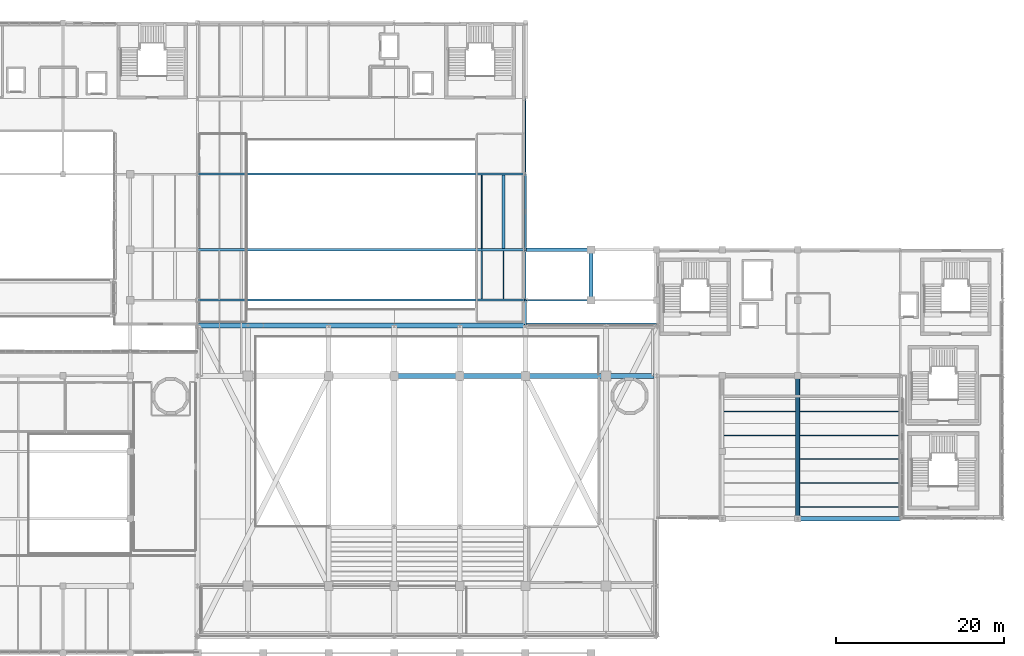
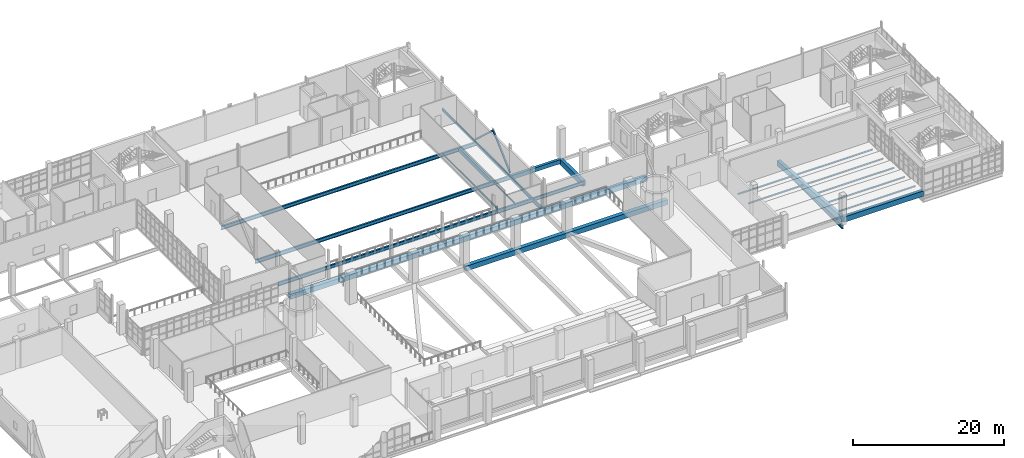
# One storey, part 41 of 100: 25 beams, 3 members.
"""IFC4 building model written with IfcOpenShell, lengths in metres."""

import ifcopenshell
import ifcopenshell.guid

model = None  # the IFC model being written
_history = None  # IfcOwnerHistory: only IFC2X3 demands one
_inside = {}  # id of a spatial element -> (the spatial element, [elements in it])
_under = {}  # id of a project, library or spatial element -> (it, [spatial elements below it])
_declared = {}  # id of a project -> (the project, [libraries it declares])
_typed = {}  # id of a type object -> (the type object, [elements of that type])
_made_of = {}  # id of a material, layer set ... -> (it, [elements and type objects made of it])


def new_model(schema):
    """Start an empty IFC model of exactly this schema.

    Asked for "IFC4X3", IfcOpenShell would pick the latest addendum, in which some entities
    have other attributes; the version numbers below select the first issue.
    IFC2X3 requires an IfcOwnerHistory on every rooted entity: one is made here for all.
    """
    global model, _history
    if schema == "IFC4X3":
        model = ifcopenshell.file(schema_version=(4, 3, 0, 0))
    else:
        model = ifcopenshell.file(schema=schema)
    _inside.clear()
    _under.clear()
    _declared.clear()
    _typed.clear()
    _made_of.clear()
    _history = None
    if model.schema == "IFC2X3":
        org = make("IfcOrganization", Name="unknown")
        user = make(
            "IfcPersonAndOrganization",
            ThePerson=make("IfcPerson", FamilyName="unknown"),
            TheOrganization=org,
        )
        app = make(
            "IfcApplication",
            ApplicationDeveloper=org,
            Version="unknown",
            ApplicationFullName="unknown",
            ApplicationIdentifier="unknown",
        )
        _history = make(
            "IfcOwnerHistory",
            OwningUser=user,
            OwningApplication=app,
            ChangeAction="ADDED",
            CreationDate=0,
        )
    return model


def make(cls, **values):
    """One entity of the class cls with the attributes given. An attribute that is None is left unset."""
    return model.create_entity(
        cls, **{name: value for name, value in values.items() if value is not None}
    )


def rooted(cls, **values):
    """An entity with a GlobalId (a new one), such as an element, a storey or a relation."""
    return make(cls, GlobalId=ifcopenshell.guid.new(), OwnerHistory=_history, **values)


def si_unit(unit_type, name, prefix=None):
    """IfcSIUnit, for example si_unit("LENGTHUNIT", "METRE", prefix="MILLI")."""
    return make("IfcSIUnit", UnitType=unit_type, Prefix=prefix, Name=name)


def derived_unit(unit_type, elements):
    """IfcDerivedUnit: a product of units, each with its exponent."""
    return make(
        "IfcDerivedUnit",
        Elements=[
            make("IfcDerivedUnitElement", Unit=unit, Exponent=power)
            for unit, power in elements
        ],
        UnitType=unit_type,
    )


def assignment(units):
    """IfcUnitAssignment: the units of a project."""
    return None if units is None else make("IfcUnitAssignment", Units=units)


def point(xyz):
    """IfcCartesianPoint."""
    return None if xyz is None else make("IfcCartesianPoint", Coordinates=xyz)


def direction(xyz):
    """IfcDirection."""
    return None if xyz is None else make("IfcDirection", DirectionRatios=xyz)


def frame(location, z_axis=None, x_axis=None):
    """IfcAxis2Placement3D, a coordinate frame: its origin and axes. An axis left out is left unset."""
    return make(
        "IfcAxis2Placement3D",
        Location=point(location),
        Axis=direction(z_axis),
        RefDirection=direction(x_axis),
    )


def frame_2d(location, x_axis=None):
    """IfcAxis2Placement2D, a coordinate frame in the plane: its origin and x axis."""
    return make(
        "IfcAxis2Placement2D", Location=point(location), RefDirection=direction(x_axis)
    )


def origin():
    """The frame at (0, 0, 0) with its axes left unset."""
    return frame((0.0, 0.0, 0.0))


def origin_2d():
    """The frame at (0, 0) in the plane with its x axis left unset."""
    return frame_2d((0.0, 0.0))


def place(relative_to, where):
    """IfcLocalPlacement: puts the frame where relative to a parent placement (None: the world)."""
    return make(
        "IfcLocalPlacement", PlacementRelTo=relative_to, RelativePlacement=where
    )


def context(
    kind, dimensions, precision=None, world=None, true_north=None, identifier=None
):
    """IfcGeometricRepresentationContext, for example the 3D "Model" context."""
    return make(
        "IfcGeometricRepresentationContext",
        ContextIdentifier=identifier,
        ContextType=kind,
        CoordinateSpaceDimension=dimensions,
        Precision=precision,
        WorldCoordinateSystem=world,
        TrueNorth=true_north,
    )


def subcontext(parent, identifier, kind, view, scale=None):
    """IfcGeometricRepresentationSubContext, for example "Body" below "Model"."""
    return make(
        "IfcGeometricRepresentationSubContext",
        ContextIdentifier=identifier,
        ContextType=kind,
        ParentContext=parent,
        TargetScale=scale,
        TargetView=view,
    )


def project(units=None, contexts=None):
    """IfcProject with its units and contexts."""
    return rooted(
        "IfcProject",
        Name="project",
        RepresentationContexts=contexts,
        UnitsInContext=assignment(units),
    )


def spatial(cls, under=None, at=None, **own):
    """A site, building, storey or space (cls), placed at a placement, below another one or the project."""
    s = rooted(cls, ObjectPlacement=at, **own)
    if under is not None:
        _under.setdefault(under.id(), (under, []))[1].append(s)
    return s


def profile(cls, at=None, kind="AREA", **sizes):
    """A parametric profile (cls). Its sizes go by their IFC names, for example OverallWidth=200.0."""
    return make(cls, ProfileType=kind, Position=at, **sizes)


def rectangle(**sizes):
    """IfcRectangleProfileDef."""
    return profile("IfcRectangleProfileDef", **sizes)


def hollow_rectangle(**sizes):
    """IfcRectangleHollowProfileDef."""
    return profile("IfcRectangleHollowProfileDef", **sizes)


def i_section(**sizes):
    """IfcIShapeProfileDef."""
    return profile("IfcIShapeProfileDef", **sizes)


def extrude(swept, where, along, depth):
    """IfcExtrudedAreaSolid: the profile swept, set in the frame where, extruded along a direction by depth."""
    return make(
        "IfcExtrudedAreaSolid",
        SweptArea=swept,
        Position=where,
        ExtrudedDirection=direction(along),
        Depth=depth,
    )


def shape(context_of_items, identifier, shape_type, items):
    """IfcShapeRepresentation: the items that make up one representation, for example the "Body"."""
    return make(
        "IfcShapeRepresentation",
        ContextOfItems=context_of_items,
        RepresentationIdentifier=identifier,
        RepresentationType=shape_type,
        Items=items,
    )


def material(Name=None, Category=None):
    """IfcMaterial."""
    return make("IfcMaterial", Name=Name, Category=Category)


def material_profile(
    of_material, cross_section, Name=None, Category=None, Priority=None
):
    """IfcMaterialProfile: a cross section and its material."""
    return make(
        "IfcMaterialProfile",
        Name=Name,
        Material=of_material,
        Profile=cross_section,
        Priority=Priority,
        Category=Category,
    )


def profile_set(profiles, Name=None, composite=None):
    """IfcMaterialProfileSet."""
    return make(
        "IfcMaterialProfileSet",
        Name=Name,
        MaterialProfiles=profiles,
        CompositeProfile=composite,
    )


def made_of(thing, what):
    """Note that an element or type object is made of a material, layer set ...; save() writes the relation."""
    if what is not None:
        _made_of.setdefault(what.id(), (what, []))[1].append(thing)
    return thing


def type_object(cls, material=None, **own):
    """A type object (cls), such as IfcWallType, which elements share."""
    return made_of(rooted(cls, **own), material)


def element(
    cls,
    number,
    at=None,
    inside=None,
    cuts=None,
    type_object=None,
    material=None,
    context=None,
    identifier="Body",
    shape_type=None,
    held_by="IfcProductDefinitionShape",
    body=None,
    shapes=None,
    **own,
):
    """One element of the class cls, such as IfcWall. Its Tag is "e" and its number.

    at: its placement. inside: the storey or other place that contains it. cuts: it is an
    opening in that element (IfcRelVoidsElement). A single representation is given by context,
    identifier, shape_type and body (its items); several are given by shapes. held_by: the class
    of the entity that holds the representations. save() writes the other relations.
    """
    e = rooted(cls, Tag="e%d" % number, ObjectPlacement=at, **own)
    if body is not None:
        shapes = [shape(context, identifier, shape_type, body)]
    if shapes is not None:
        e.Representation = make(held_by, Representations=shapes)
    if inside is not None:
        _inside.setdefault(inside.id(), (inside, []))[1].append(e)
    if cuts is not None:
        rooted(
            "IfcRelVoidsElement", RelatingBuildingElement=cuts, RelatedOpeningElement=e
        )
    if type_object is not None:
        _typed.setdefault(type_object.id(), (type_object, []))[1].append(e)
    return made_of(e, material)


def aggregate(whole, parts):
    """IfcRelAggregates: a whole, such as a stair, and the parts it consists of."""
    return rooted("IfcRelAggregates", RelatingObject=whole, RelatedObjects=parts)


def save(model, path):
    """Write the relations noted so far, then the file.

    IfcRelAggregates (storeys below a building ...), IfcRelContainedInSpatialStructure (elements
    in a storey), IfcRelDefinesByType, IfcRelAssociatesMaterial and IfcRelDeclares: one each for
    every whole, place, type object, material and project.
    """
    for whole, parts in _under.values():
        aggregate(whole, parts)
    for where, things in _inside.values():
        rooted(
            "IfcRelContainedInSpatialStructure",
            RelatedElements=things,
            RelatingStructure=where,
        )
    for kind, things in _typed.values():
        rooted("IfcRelDefinesByType", RelatedObjects=things, RelatingType=kind)
    for what, things in _made_of.values():
        rooted("IfcRelAssociatesMaterial", RelatedObjects=things, RelatingMaterial=what)
    for by, libraries in _declared.values():
        rooted("IfcRelDeclares", RelatingContext=by, RelatedDefinitions=libraries)
    model.write(path)


model = new_model("IFC4")

# Units and contexts
model_context = context("Model", 3, precision=1e-05, world=origin(), true_north=direction((0.0, 1.0)))
body_context = subcontext(model_context, "Body", "Model", "MODEL_VIEW")
ifc_project = project(units=[si_unit("LENGTHUNIT", "METRE"), si_unit("AREAUNIT", "SQUARE_METRE"), si_unit("VOLUMEUNIT", "CUBIC_METRE"), si_unit("PLANEANGLEUNIT", "RADIAN"), si_unit("MASSUNIT", "GRAM", prefix="KILO"), derived_unit("THERMALTRANSMITTANCEUNIT", [(si_unit("POWERUNIT", "WATT"), 1), (si_unit("LENGTHUNIT", "METRE"), -2), (si_unit("THERMODYNAMICTEMPERATUREUNIT", "KELVIN"), -1)])], contexts=[model_context])

# Site, building, storey
site_placement = place(None, origin())
site = spatial("IfcSite", under=ifc_project, at=site_placement, CompositionType="ELEMENT")
building_placement = place(site_placement, origin())
building = spatial("IfcBuilding", under=site, at=building_placement, Name="Nallur Shell Playhouse", CompositionType="ELEMENT")
storey_placement = place(building_placement, frame((0.0, 0.0, 10.199951171875)))
storey = spatial("IfcBuildingStorey", under=building, at=storey_placement, Name="L03", CompositionType="ELEMENT", Elevation=10.199951171875)

# Beams
ifc_material_1 = material(Name="Steel E250", Category="steel")
ifc_material_profile_1 = material_profile(ifc_material_1, i_section(OverallWidth=0.110107421875, OverallDepth=0.22509765625, WebThickness=0.006591796875, FlangeThickness=0.01171875, FilletRadius=0.011962890625, at=origin_2d()), Name="ISMB 225")
ifc_profile_set_1 = profile_set([ifc_material_profile_1], Name="Steel E250")
beam_type_1 = type_object("IfcBeamType", Name="BM-JST-ISMB225", PredefinedType="JOIST", material=ifc_profile_set_1)
beam_1_placement = place(storey_placement, frame((97.800048828125, 56.123046875, -0.37255859375), z_axis=(0.0, 1.0, 0.0), x_axis=(-1.0, 0.0, 0.0)))
element("IfcBeam", 1, at=beam_1_placement, inside=storey, type_object=beam_type_1, Name="L03 secondary joist 12-G-737", PredefinedType="JOIST", context=body_context, shape_type="SweptSolid", body=[
    extrude(i_section(OverallWidth=0.110107421875, OverallDepth=0.22509765625, WebThickness=0.006591796875, FlangeThickness=0.01171875, FilletRadius=0.011962890625, at=origin_2d()), origin(), (0.0, 0.0, 1.0), 8.75390625),
])
ifc_material_profile_2 = material_profile(ifc_material_1, i_section(OverallWidth=0.125, OverallDepth=0.25, WebThickness=0.0068359375, FlangeThickness=0.012451171875, FilletRadius=0.012939453125, at=origin_2d()), Name="ISMB 250")
ifc_profile_set_2 = profile_set([ifc_material_profile_2], Name="Steel E250")
beam_type_2 = type_object("IfcBeamType", Name="BM-JST-ISMB250", PredefinedType="JOIST", material=ifc_profile_set_2)
beam_2_placement = place(storey_placement, frame((126.64794921875, 36.75, 0.074951171875), z_axis=(1.0, 0.0, 0.0), x_axis=(0.0, 1.0, 0.0)))
element("IfcBeam", 2, at=beam_2_placement, inside=storey, type_object=beam_type_2, Name="Seating tier step bearer STUDIO row 2 (126.4-135.4)", PredefinedType="JOIST", context=body_context, shape_type="SweptSolid", body=[
    extrude(i_section(OverallWidth=0.125, OverallDepth=0.25, WebThickness=0.0068359375, FlangeThickness=0.012451171875, FilletRadius=0.012939453125, at=origin_2d()), origin(), (0.0, 0.0, 1.0), 8.504150390625),
])
beam_3_placement = place(storey_placement, frame((135.64794921875, 36.75, 0.074951171875), z_axis=(1.0, 0.0, 0.0), x_axis=(0.0, 1.0, 0.0)))
element("IfcBeam", 3, at=beam_3_placement, inside=storey, type_object=beam_type_2, Name="Seating tier step bearer STUDIO row 2 (135.4-147.6)", PredefinedType="JOIST", context=body_context, shape_type="SweptSolid", body=[
    extrude(i_section(OverallWidth=0.125, OverallDepth=0.25, WebThickness=0.0068359375, FlangeThickness=0.012451171875, FilletRadius=0.012939453125, at=origin_2d()), origin(), (0.0, 0.0, 1.0), 11.7041015625),
])
beam_4_placement = place(storey_placement, frame((126.64794921875, 33.916748046875, 0.31494140625), z_axis=(1.0, 0.0, 0.0), x_axis=(0.0, 1.0, 0.0)))
element("IfcBeam", 4, at=beam_4_placement, inside=storey, type_object=beam_type_2, Name="Seating tier step bearer STUDIO row 3 (126.4-135.4)", PredefinedType="JOIST", context=body_context, shape_type="SweptSolid", body=[
    extrude(i_section(OverallWidth=0.125, OverallDepth=0.25, WebThickness=0.0068359375, FlangeThickness=0.012451171875, FilletRadius=0.012939453125, at=origin_2d()), origin(), (0.0, 0.0, 1.0), 8.504150390625),
])
for number, where, z_axis, x_axis, name in (
    (5, (135.64794921875, 33.916748046875, 0.31494140625), (1.0, 0.0, 0.0), (0.0, 1.0, 0.0), "Seating tier step bearer STUDIO row 3 (135.4-147.6)"),
    (6, (135.64794921875, 31.083251953125, 0.554931640625), (1.0, 0.0, 0.0), (0.0, 1.0, 0.0), "Seating tier step bearer STUDIO row 4 (135.4-147.6)"),
    (7, (135.64794921875, 28.25, 0.795166015625), (1.0, 0.0, 0.0), (0.0, 1.0, 0.0), "Seating tier step bearer STUDIO row 5 (135.4-147.6)"),
    (8, (135.64794921875, 25.416748046875, 1.03515625), (1.0, 0.0, 0.0), (0.0, 1.0, 0.0), "Seating tier step bearer STUDIO row 6 (135.4-147.6)"),
):
    element("IfcBeam", number, at=place(storey_placement, frame(where, z_axis=z_axis, x_axis=x_axis)), inside=storey, type_object=beam_type_2, Name=name, PredefinedType="JOIST", context=body_context, shape_type="SweptSolid", body=[
        extrude(i_section(OverallWidth=0.125, OverallDepth=0.25, WebThickness=0.0068359375, FlangeThickness=0.012451171875, FilletRadius=0.012939453125, at=origin_2d()), origin(), (0.0, 0.0, 1.0), 11.7041015625),
    ])
beam_5_placement = place(storey_placement, frame((100.39990234375, 50.123046875, -0.385009765625), z_axis=(0.0, 1.0, 0.0), x_axis=(-1.0, 0.0, 0.0)))
element("IfcBeam", 9, at=beam_5_placement, inside=storey, type_object=beam_type_2, Name="L03 secondary joist 12-F-736", PredefinedType="JOIST", context=body_context, shape_type="SweptSolid", body=[
    extrude(i_section(OverallWidth=0.125, OverallDepth=0.25, WebThickness=0.0068359375, FlangeThickness=0.012451171875, FilletRadius=0.012939453125, at=origin_2d()), origin(), (0.0, 0.0, 1.0), 5.75390625),
])
ifc_material_profile_3 = material_profile(ifc_material_1, i_section(OverallWidth=0.139892578125, OverallDepth=0.300048828125, WebThickness=0.0078125, FlangeThickness=0.01318359375, FilletRadius=0.013916015625, at=origin_2d()), Name="ISMB 300")
ifc_profile_set_3 = profile_set([ifc_material_profile_3], Name="Steel E250")
beam_type_3 = type_object("IfcBeamType", Name="BM-JST-ISMB300", PredefinedType="JOIST", material=ifc_profile_set_3)
beam_6_placement = place(storey_placement, frame((97.800048828125, 50.123046875, -0.409912109375), z_axis=(0.0, 1.0, 0.0), x_axis=(-1.0, 0.0, 0.0)))
element("IfcBeam", 10, at=beam_6_placement, inside=storey, type_object=beam_type_3, Name="L03 secondary joist 12-F-735", PredefinedType="JOIST", context=body_context, shape_type="SweptSolid", body=[
    extrude(i_section(OverallWidth=0.139892578125, OverallDepth=0.300048828125, WebThickness=0.0078125, FlangeThickness=0.01318359375, FilletRadius=0.013916015625, at=origin_2d()), origin(), (0.0, 0.0, 1.0), 5.75390625),
])
ifc_material_2 = material(Name="Concrete M30", Category="concrete")
ifc_material_profile_4 = material_profile(ifc_material_2, rectangle(XDim=0.35009765625, YDim=0.60009765625, at=origin_2d()), Name="RC 350x600")
ifc_profile_set_4 = profile_set([ifc_material_profile_4], Name="Concrete M30")
beam_type_4 = type_object("IfcBeamType", Name="BM-RC-350x600", PredefinedType="JOIST", material=ifc_profile_set_4)
beam_7_placement = place(storey_placement, frame((100.39990234375, 56.123046875, -0.56005859375), z_axis=(0.0, 1.0, 0.0), x_axis=(-1.0, 0.0, 0.0)))
element("IfcBeam", 11, at=beam_7_placement, inside=storey, type_object=beam_type_4, Name="L03 secondary joist 12-G-738", PredefinedType="JOIST", context=body_context, shape_type="SweptSolid", body=[
    extrude(rectangle(XDim=0.35009765625, YDim=0.60009765625, at=origin_2d()), origin(), (0.0, 0.0, 1.0), 8.75390625),
])
ifc_material_3 = material(Name="Concrete M35", Category="concrete")
ifc_material_profile_5 = material_profile(ifc_material_3, rectangle(XDim=0.39990234375, YDim=0.64990234375, at=origin_2d()), Name="RC 400x650")
ifc_profile_set_5 = profile_set([ifc_material_profile_5], Name="Concrete M35")
beam_type_5 = type_object("IfcBeamType", Name="BM-RC-400x650", PredefinedType="BEAM", material=ifc_profile_set_5)
beam_8_placement = place(storey_placement, frame((103.0, 56.0, -0.5849609375), z_axis=(1.0, 0.0, 0.0), x_axis=(0.0, 1.0, 0.0)))
element("IfcBeam", 12, at=beam_8_placement, inside=storey, type_object=beam_type_5, Name="L03 girder X-G-607", PredefinedType="BEAM", context=body_context, shape_type="SweptSolid", body=[
    extrude(rectangle(XDim=0.39990234375, YDim=0.64990234375, at=origin_2d()), origin(), (0.0, 0.0, 1.0), 7.800048828125),
])
ifc_material_4 = material(Name="Concrete M40", Category="concrete")
ifc_material_profile_6 = material_profile(ifc_material_4, rectangle(XDim=0.5, YDim=0.85009765625, at=origin_2d()), Name="RC 500x850")
ifc_profile_set_6 = profile_set([ifc_material_profile_6], Name="Concrete M40")
beam_type_6 = type_object("IfcBeamType", Name="BM-RC-500x850", PredefinedType="BEAM", material=ifc_profile_set_6)
beam_9_placement = place(storey_placement, frame((135.39990234375, 24.0, 0.735107421875), z_axis=(1.0, 0.0, 0.0), x_axis=(0.0, 1.0, 0.0)))
element("IfcBeam", 13, at=beam_9_placement, inside=storey, type_object=beam_type_6, Name="Studio raker end tie girder B (135.4-147.6)", PredefinedType="BEAM", context=body_context, shape_type="SweptSolid", body=[
    extrude(rectangle(XDim=0.5, YDim=0.85009765625, at=origin_2d()), origin(), (0.0, 0.0, 1.0), 12.2001953125),
])
beam_10_placement = place(storey_placement, frame((110.800048828125, 50.0, -0.68505859375), z_axis=(0.0, 1.0, 0.0), x_axis=(-1.0, 0.0, 0.0)))
element("IfcBeam", 14, at=beam_10_placement, inside=storey, type_object=beam_type_6, Name="L03 girder Y-14-669", PredefinedType="BEAM", context=body_context, shape_type="SweptSolid", body=[
    extrude(rectangle(XDim=0.5, YDim=0.85009765625, at=origin_2d()), origin(), (0.0, 0.0, 1.0), 6.0),
])
ifc_material_5 = material(Name="Steel E350", Category="steel")
ifc_material_profile_7 = material_profile(ifc_material_5, i_section(OverallWidth=0.14990234375, OverallDepth=0.449951171875, WebThickness=0.009521484375, FlangeThickness=0.017333984375, FilletRadius=0.014892578125, at=origin_2d()), Name="ISMB 450")
ifc_profile_set_7 = profile_set([ifc_material_profile_7], Name="Steel E350")
beam_type_7 = type_object("IfcBeamType", Name="BM-ST-ISMB450", PredefinedType="BEAM", material=ifc_profile_set_7)
beam_11_placement = place(storey_placement, frame((103.0, 65.0, -0.48486328125), z_axis=(0.0, 1.0, 0.0), x_axis=(-1.0, 0.0, 0.0)))
element("IfcBeam", 15, at=beam_11_placement, inside=storey, type_object=beam_type_7, Name="L03 girder Y-13-667", PredefinedType="BEAM", context=body_context, shape_type="SweptSolid", body=[
    extrude(i_section(OverallWidth=0.14990234375, OverallDepth=0.449951171875, WebThickness=0.009521484375, FlangeThickness=0.017333984375, FilletRadius=0.014892578125, at=origin_2d()), origin(), (0.0, 0.0, 1.0), 9.0),
])
ifc_material_profile_8 = material_profile(ifc_material_5, i_section(OverallWidth=0.179931640625, OverallDepth=0.5, WebThickness=0.01025390625, FlangeThickness=0.01708984375, FilletRadius=0.01708984375, at=origin_2d()), Name="ISMB 500")
ifc_profile_set_8 = profile_set([ifc_material_profile_8], Name="Steel E350")
beam_type_8 = type_object("IfcBeamType", Name="BM-ST-ISMB500", PredefinedType="BEAM", material=ifc_profile_set_8)
beam_12_placement = place(storey_placement, frame((103.0, 56.0, -0.510009765625), z_axis=(0.0, 1.0, 0.0), x_axis=(-1.0, 0.0, 0.0)))
element("IfcBeam", 16, at=beam_12_placement, inside=storey, type_object=beam_type_8, Name="L03 girder Y-13-666", PredefinedType="BEAM", context=body_context, shape_type="SweptSolid", body=[
    extrude(i_section(OverallWidth=0.179931640625, OverallDepth=0.5, WebThickness=0.01025390625, FlangeThickness=0.01708984375, FilletRadius=0.01708984375, at=origin_2d()), origin(), (0.0, 0.0, 1.0), 9.0),
])
ifc_material_profile_9 = material_profile(ifc_material_5, i_section(OverallWidth=0.18994140625, OverallDepth=0.550048828125, WebThickness=0.01123046875, FlangeThickness=0.019287109375, FilletRadius=0.01806640625, at=origin_2d()), Name="ISMB 550")
ifc_profile_set_9 = profile_set([ifc_material_profile_9], Name="Steel E350")
beam_type_9 = type_object("IfcBeamType", Name="BM-ST-ISMB550", PredefinedType="BEAM", material=ifc_profile_set_9)
beam_13_placement = place(storey_placement, frame((103.0, 50.0, -0.534912109375), z_axis=(1.0, 0.0, 0.0), x_axis=(0.0, 1.0, 0.0)))
element("IfcBeam", 17, at=beam_13_placement, inside=storey, type_object=beam_type_9, Name="L03 girder X-F-601", PredefinedType="BEAM", context=body_context, shape_type="SweptSolid", body=[
    extrude(i_section(OverallWidth=0.18994140625, OverallDepth=0.550048828125, WebThickness=0.01123046875, FlangeThickness=0.019287109375, FilletRadius=0.01806640625, at=origin_2d()), origin(), (0.0, 0.0, 1.0), 7.800048828125),
])
beam_14_placement = place(storey_placement, frame((103.0, 50.0, -0.534912109375), z_axis=(0.0, 1.0, 0.0), x_axis=(-1.0, 0.0, 0.0)))
element("IfcBeam", 18, at=beam_14_placement, inside=storey, type_object=beam_type_9, Name="L03 girder Y-13-665", PredefinedType="BEAM", context=body_context, shape_type="SweptSolid", body=[
    extrude(i_section(OverallWidth=0.18994140625, OverallDepth=0.550048828125, WebThickness=0.01123046875, FlangeThickness=0.019287109375, FilletRadius=0.01806640625, at=origin_2d()), origin(), (0.0, 0.0, 1.0), 6.0),
])
ifc_material_profile_10 = material_profile(ifc_material_5, i_section(OverallWidth=0.2099609375, OverallDepth=0.60009765625, WebThickness=0.011962890625, FlangeThickness=0.020751953125, FilletRadius=0.02001953125, at=origin_2d()), Name="ISMB 600")
ifc_profile_set_10 = profile_set([ifc_material_profile_10], Name="Steel E350")
beam_type_10 = type_object("IfcBeamType", Name="BM-ST-ISMB600", PredefinedType="BEAM", material=ifc_profile_set_10)
beam_15_placement = place(storey_placement, frame((103.0, 47.0, -0.56005859375), z_axis=(0.0, 1.0, 0.0), x_axis=(-1.0, 0.0, 0.0)))
element("IfcBeam", 19, at=beam_15_placement, inside=storey, type_object=beam_type_10, Name="L03 girder Y-13-664", PredefinedType="BEAM", context=body_context, shape_type="SweptSolid", body=[
    extrude(i_section(OverallWidth=0.2099609375, OverallDepth=0.60009765625, WebThickness=0.011962890625, FlangeThickness=0.020751953125, FilletRadius=0.02001953125, at=origin_2d()), origin(), (0.0, 0.0, 1.0), 3.0),
])
ifc_material_profile_11 = material_profile(ifc_material_5, i_section(OverallWidth=0.25, OverallDepth=0.60009765625, WebThickness=0.01171875, FlangeThickness=0.023681640625, FilletRadius=0.01708984375, at=origin_2d()), Name="ISWB 600")
ifc_profile_set_11 = profile_set([ifc_material_profile_11], Name="Steel E350")
beam_type_11 = type_object("IfcBeamType", Name="BM-ST-ISWB600", PredefinedType="BEAM", material=ifc_profile_set_11)
beam_16_placement = place(storey_placement, frame((135.39990234375, 24.0, -0.56005859375), z_axis=(0.0, 1.0, 0.0), x_axis=(-1.0, 0.0, 0.0)))
element("IfcBeam", 20, at=beam_16_placement, inside=storey, type_object=beam_type_11, Name="L03 girder Y-17-673", PredefinedType="BEAM", context=body_context, shape_type="SweptSolid", body=[
    extrude(i_section(OverallWidth=0.25, OverallDepth=0.60009765625, WebThickness=0.01171875, FlangeThickness=0.023681640625, FilletRadius=0.01708984375, at=origin_2d()), origin(), (0.0, 0.0, 1.0), 17.0),
])
for number, where, z_axis, x_axis, name in (
    (21, (64.0, 50.0, -0.56005859375), (1.0, 0.0, 0.0), (0.0, 1.0, 0.0), "L03 long-span hall girder Y=50.0-685"),
    (22, (64.0, 56.0, -0.56005859375), (1.0, 0.0, 0.0), (0.0, 1.0, 0.0), "L03 long-span hall girder Y=56.0-686"),
    (23, (64.0, 65.0, -0.56005859375), (1.0, 0.0, 0.0), (0.0, 1.0, 0.0), "L03 long-span hall girder Y=65.0-687"),
):
    element("IfcBeam", number, at=place(storey_placement, frame(where, z_axis=z_axis, x_axis=x_axis)), inside=storey, type_object=beam_type_11, Name=name, PredefinedType="BEAM", context=body_context, shape_type="SweptSolid", body=[
        extrude(i_section(OverallWidth=0.25, OverallDepth=0.60009765625, WebThickness=0.01171875, FlangeThickness=0.023681640625, FilletRadius=0.01708984375, at=origin_2d()), origin(), (0.0, 0.0, 1.0), 39.0),
    ])
ifc_material_profile_12 = material_profile(ifc_material_5, hollow_rectangle(XDim=0.60009765625, YDim=0.800048828125, WallThickness=0.02490234375, at=origin_2d()), Name="BOX 600x800x25")
ifc_profile_set_12 = profile_set([ifc_material_profile_12], Name="Steel E350")
beam_type_12 = type_object("IfcBeamType", Name="BM-TT-CHORD", PredefinedType="BEAM", material=ifc_profile_set_12)
beam_17_placement = place(storey_placement, frame((87.39990234375, 41.0, -0.659912109375), z_axis=(1.0, 0.0, 0.0), x_axis=(0.0, 1.0, 0.0)))
element("IfcBeam", 24, at=beam_17_placement, inside=storey, type_object=beam_type_12, Name="Transfer truss TT-2 top chord 2", PredefinedType="BEAM", context=body_context, shape_type="SweptSolid", body=[
    extrude(hollow_rectangle(XDim=0.60009765625, YDim=0.800048828125, WallThickness=0.02490234375, at=origin_2d()), origin(), (0.0, 0.0, 1.0), 30.902099609375),
])
beam_18_placement = place(storey_placement, frame((64.0, 47.0, -0.659912109375), z_axis=(1.0, 0.0, 0.0), x_axis=(0.0, 1.0, 0.0)))
element("IfcBeam", 25, at=beam_18_placement, inside=storey, type_object=beam_type_12, Name="Gold box perimeter chord L03-N1", PredefinedType="BEAM", context=body_context, shape_type="SweptSolid", body=[
    extrude(hollow_rectangle(XDim=0.60009765625, YDim=0.800048828125, WallThickness=0.02490234375, at=origin_2d()), origin(), (0.0, 0.0, 1.0), 54.60009765625),
])

# Members
ifc_material_profile_13 = material_profile(ifc_material_5, hollow_rectangle(XDim=0.219970703125, YDim=0.219970703125, WallThickness=0.011962890625, at=origin_2d()), Name="SHS 220x220x12")
ifc_profile_set_13 = profile_set([ifc_material_profile_13], Name="Steel E350")
member_type_1 = type_object("IfcMemberType", Name="MB-FT-BRACE2", PredefinedType="BRACE", material=ifc_profile_set_13)
for number, where, z_axis, x_axis, name in (
    (26, (103.0, 56.0, 0.150146484375), (0.0, 0.735939765256, 0.677047016029), (-1.0, 0.0, 0.0), "Stage fly tower concentric brace BR-FT-L03-019"),
    (27, (103.0, 65.0, 0.150146484375), (0.0, -0.735939765256, 0.677047016029), (1.0, 0.0, 0.0), "Stage fly tower concentric brace BR-FT-L03-020"),
):
    element("IfcMember", number, at=place(storey_placement, frame(where, z_axis=z_axis, x_axis=x_axis)), inside=storey, type_object=member_type_1, Name=name, PredefinedType="BRACE", context=body_context, shape_type="SweptSolid", body=[
        extrude(hollow_rectangle(XDim=0.219970703125, YDim=0.219970703125, WallThickness=0.011962890625, at=origin_2d()), origin(), (0.0, 0.0, 1.0), 6.11474609375),
    ])
ifc_material_profile_14 = material_profile(ifc_material_4, rectangle(XDim=0.5, YDim=0.85009765625, at=origin_2d()), Name="RC 500x850")
ifc_profile_set_14 = profile_set([ifc_material_profile_14], Name="Concrete M40")
member_type_2 = type_object("IfcMemberType", Name="MB-RAKER-RC", PredefinedType="STRINGER", material=ifc_profile_set_14)
member_placement = place(storey_placement, frame((135.39990234375, 41.0, -0.46484375), z_axis=(0.0, -0.997518123498, 0.070410178898), x_axis=(1.0, 0.0, 0.0)))
element("IfcMember", 28, at=member_placement, inside=storey, type_object=member_type_2, Name="Auditorium raker beam STUDIO RAKER 2", PredefinedType="STRINGER", context=body_context, shape_type="SweptSolid", body=[
    extrude(rectangle(XDim=0.5, YDim=0.85009765625, at=origin_2d()), origin(), (0.0, 0.0, 1.0), 17.042236328125),
])

save(model, "model.ifc")
